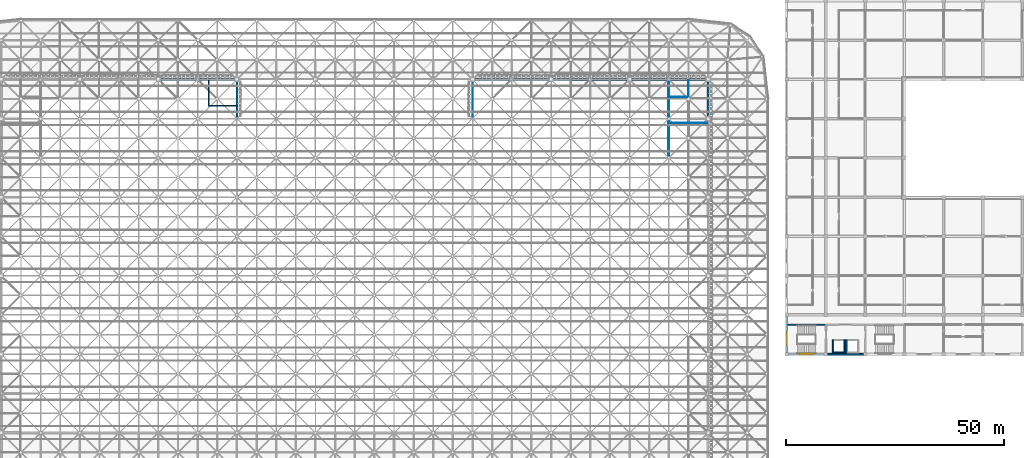
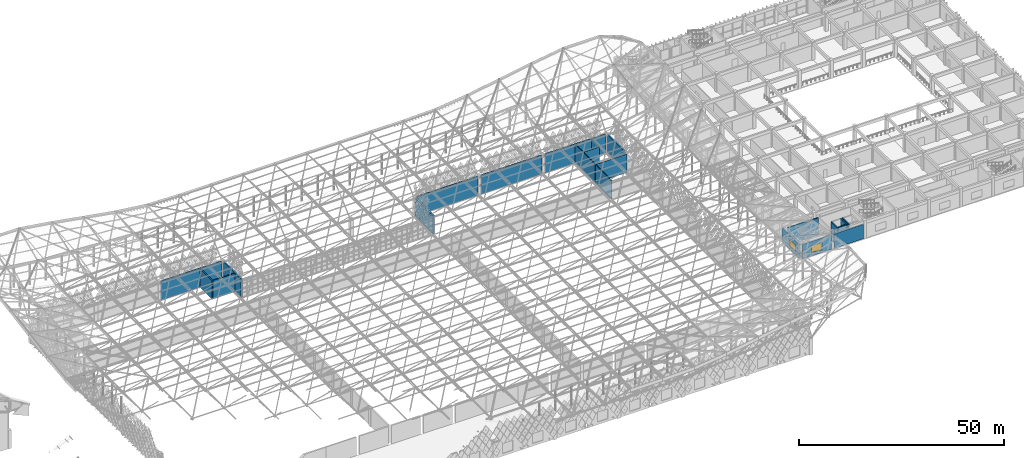
# One storey, part 275 of 437: 21 walls, 2 windows, 2 openings.
"""IFC4 building model written with IfcOpenShell, lengths in metres."""

import ifcopenshell
import ifcopenshell.guid

model = None  # the IFC model being written
_history = None  # IfcOwnerHistory: only IFC2X3 demands one
_inside = {}  # id of a spatial element -> (the spatial element, [elements in it])
_under = {}  # id of a project, library or spatial element -> (it, [spatial elements below it])
_declared = {}  # id of a project -> (the project, [libraries it declares])
_typed = {}  # id of a type object -> (the type object, [elements of that type])
_made_of = {}  # id of a material, layer set ... -> (it, [elements and type objects made of it])


def new_model(schema):
    """Start an empty IFC model of exactly this schema.

    Asked for "IFC4X3", IfcOpenShell would pick the latest addendum, in which some entities
    have other attributes; the version numbers below select the first issue.
    IFC2X3 requires an IfcOwnerHistory on every rooted entity: one is made here for all.
    """
    global model, _history
    if schema == "IFC4X3":
        model = ifcopenshell.file(schema_version=(4, 3, 0, 0))
    else:
        model = ifcopenshell.file(schema=schema)
    _inside.clear()
    _under.clear()
    _declared.clear()
    _typed.clear()
    _made_of.clear()
    _history = None
    if model.schema == "IFC2X3":
        org = make("IfcOrganization", Name="unknown")
        user = make(
            "IfcPersonAndOrganization",
            ThePerson=make("IfcPerson", FamilyName="unknown"),
            TheOrganization=org,
        )
        app = make(
            "IfcApplication",
            ApplicationDeveloper=org,
            Version="unknown",
            ApplicationFullName="unknown",
            ApplicationIdentifier="unknown",
        )
        _history = make(
            "IfcOwnerHistory",
            OwningUser=user,
            OwningApplication=app,
            ChangeAction="ADDED",
            CreationDate=0,
        )
    return model


def make(cls, **values):
    """One entity of the class cls with the attributes given. An attribute that is None is left unset."""
    return model.create_entity(
        cls, **{name: value for name, value in values.items() if value is not None}
    )


def rooted(cls, **values):
    """An entity with a GlobalId (a new one), such as an element, a storey or a relation."""
    return make(cls, GlobalId=ifcopenshell.guid.new(), OwnerHistory=_history, **values)


def si_unit(unit_type, name, prefix=None):
    """IfcSIUnit, for example si_unit("LENGTHUNIT", "METRE", prefix="MILLI")."""
    return make("IfcSIUnit", UnitType=unit_type, Prefix=prefix, Name=name)


def assignment(units):
    """IfcUnitAssignment: the units of a project."""
    return None if units is None else make("IfcUnitAssignment", Units=units)


def point(xyz):
    """IfcCartesianPoint."""
    return None if xyz is None else make("IfcCartesianPoint", Coordinates=xyz)


def direction(xyz):
    """IfcDirection."""
    return None if xyz is None else make("IfcDirection", DirectionRatios=xyz)


def frame(location, z_axis=None, x_axis=None):
    """IfcAxis2Placement3D, a coordinate frame: its origin and axes. An axis left out is left unset."""
    return make(
        "IfcAxis2Placement3D",
        Location=point(location),
        Axis=direction(z_axis),
        RefDirection=direction(x_axis),
    )


def frame_2d(location, x_axis=None):
    """IfcAxis2Placement2D, a coordinate frame in the plane: its origin and x axis."""
    return make(
        "IfcAxis2Placement2D", Location=point(location), RefDirection=direction(x_axis)
    )


def origin():
    """The frame at (0, 0, 0) with its axes left unset."""
    return frame((0.0, 0.0, 0.0))


def place(relative_to, where):
    """IfcLocalPlacement: puts the frame where relative to a parent placement (None: the world)."""
    return make(
        "IfcLocalPlacement", PlacementRelTo=relative_to, RelativePlacement=where
    )


def context(
    kind, dimensions, precision=None, world=None, true_north=None, identifier=None
):
    """IfcGeometricRepresentationContext, for example the 3D "Model" context."""
    return make(
        "IfcGeometricRepresentationContext",
        ContextIdentifier=identifier,
        ContextType=kind,
        CoordinateSpaceDimension=dimensions,
        Precision=precision,
        WorldCoordinateSystem=world,
        TrueNorth=true_north,
    )


def subcontext(parent, identifier, kind, view, scale=None):
    """IfcGeometricRepresentationSubContext, for example "Body" below "Model"."""
    return make(
        "IfcGeometricRepresentationSubContext",
        ContextIdentifier=identifier,
        ContextType=kind,
        ParentContext=parent,
        TargetScale=scale,
        TargetView=view,
    )


def project(units=None, contexts=None):
    """IfcProject with its units and contexts."""
    return rooted(
        "IfcProject",
        Name="project",
        RepresentationContexts=contexts,
        UnitsInContext=assignment(units),
    )


def spatial(cls, under=None, at=None, **own):
    """A site, building, storey or space (cls), placed at a placement, below another one or the project."""
    s = rooted(cls, ObjectPlacement=at, **own)
    if under is not None:
        _under.setdefault(under.id(), (under, []))[1].append(s)
    return s


def profile(cls, at=None, kind="AREA", **sizes):
    """A parametric profile (cls). Its sizes go by their IFC names, for example OverallWidth=200.0."""
    return make(cls, ProfileType=kind, Position=at, **sizes)


def rectangle(**sizes):
    """IfcRectangleProfileDef."""
    return profile("IfcRectangleProfileDef", **sizes)


def extrude(swept, where, along, depth):
    """IfcExtrudedAreaSolid: the profile swept, set in the frame where, extruded along a direction by depth."""
    return make(
        "IfcExtrudedAreaSolid",
        SweptArea=swept,
        Position=where,
        ExtrudedDirection=direction(along),
        Depth=depth,
    )


def shape(context_of_items, identifier, shape_type, items):
    """IfcShapeRepresentation: the items that make up one representation, for example the "Body"."""
    return make(
        "IfcShapeRepresentation",
        ContextOfItems=context_of_items,
        RepresentationIdentifier=identifier,
        RepresentationType=shape_type,
        Items=items,
    )


def material(Name=None, Category=None):
    """IfcMaterial."""
    return make("IfcMaterial", Name=Name, Category=Category)


def layer(
    of_material, thickness, ventilated=None, Name=None, Category=None, Priority=None
):
    """IfcMaterialLayer: one layer of a wall or slab, of a material (None: an air gap)."""
    return make(
        "IfcMaterialLayer",
        Material=of_material,
        LayerThickness=thickness,
        IsVentilated=ventilated,
        Name=Name,
        Category=Category,
        Priority=Priority,
    )


def layer_set(layers, Name=None):
    """IfcMaterialLayerSet."""
    return make("IfcMaterialLayerSet", MaterialLayers=layers, LayerSetName=Name)


def made_of(thing, what):
    """Note that an element or type object is made of a material, layer set ...; save() writes the relation."""
    if what is not None:
        _made_of.setdefault(what.id(), (what, []))[1].append(thing)
    return thing


def type_object(cls, material=None, **own):
    """A type object (cls), such as IfcWallType, which elements share."""
    return made_of(rooted(cls, **own), material)


def element(
    cls,
    number,
    at=None,
    inside=None,
    cuts=None,
    type_object=None,
    material=None,
    context=None,
    identifier="Body",
    shape_type=None,
    held_by="IfcProductDefinitionShape",
    body=None,
    shapes=None,
    **own,
):
    """One element of the class cls, such as IfcWall. Its Tag is "e" and its number.

    at: its placement. inside: the storey or other place that contains it. cuts: it is an
    opening in that element (IfcRelVoidsElement). A single representation is given by context,
    identifier, shape_type and body (its items); several are given by shapes. held_by: the class
    of the entity that holds the representations. save() writes the other relations.
    """
    e = rooted(cls, Tag="e%d" % number, ObjectPlacement=at, **own)
    if body is not None:
        shapes = [shape(context, identifier, shape_type, body)]
    if shapes is not None:
        e.Representation = make(held_by, Representations=shapes)
    if inside is not None:
        _inside.setdefault(inside.id(), (inside, []))[1].append(e)
    if cuts is not None:
        rooted(
            "IfcRelVoidsElement", RelatingBuildingElement=cuts, RelatedOpeningElement=e
        )
    if type_object is not None:
        _typed.setdefault(type_object.id(), (type_object, []))[1].append(e)
    return made_of(e, material)


def fill(opening, filler):
    """IfcRelFillsElement: the door or window that sits in an opening."""
    return rooted(
        "IfcRelFillsElement",
        RelatingOpeningElement=opening,
        RelatedBuildingElement=filler,
    )


def aggregate(whole, parts):
    """IfcRelAggregates: a whole, such as a stair, and the parts it consists of."""
    return rooted("IfcRelAggregates", RelatingObject=whole, RelatedObjects=parts)


def save(model, path):
    """Write the relations noted so far, then the file.

    IfcRelAggregates (storeys below a building ...), IfcRelContainedInSpatialStructure (elements
    in a storey), IfcRelDefinesByType, IfcRelAssociatesMaterial and IfcRelDeclares: one each for
    every whole, place, type object, material and project.
    """
    for whole, parts in _under.values():
        aggregate(whole, parts)
    for where, things in _inside.values():
        rooted(
            "IfcRelContainedInSpatialStructure",
            RelatedElements=things,
            RelatingStructure=where,
        )
    for kind, things in _typed.values():
        rooted("IfcRelDefinesByType", RelatedObjects=things, RelatingType=kind)
    for what, things in _made_of.values():
        rooted("IfcRelAssociatesMaterial", RelatedObjects=things, RelatingMaterial=what)
    for by, libraries in _declared.values():
        rooted("IfcRelDeclares", RelatingContext=by, RelatedDefinitions=libraries)
    model.write(path)


model = new_model("IFC4")

# Units and contexts
model_context = context("Model", 3, precision=1e-05, world=origin(), true_north=direction((0.0, 1.0)))
body_context = subcontext(model_context, "Body", "Model", "MODEL_VIEW")
ifc_project = project(units=[si_unit("LENGTHUNIT", "METRE"), si_unit("AREAUNIT", "SQUARE_METRE"), si_unit("VOLUMEUNIT", "CUBIC_METRE"), si_unit("PLANEANGLEUNIT", "RADIAN"), si_unit("MASSUNIT", "GRAM", prefix="KILO")], contexts=[model_context])

# Site, building, storey
site_placement = place(None, origin())
site = spatial("IfcSite", under=ifc_project, at=site_placement, CompositionType="ELEMENT")
building_placement = place(site_placement, origin())
building = spatial("IfcBuilding", under=site, at=building_placement, Name="Opaline Strait Convention Centre", CompositionType="ELEMENT")
storey_placement = place(building_placement, frame((0.0, 0.0, 11.5)))
storey = spatial("IfcBuildingStorey", under=building, at=storey_placement, Name="L02", CompositionType="ELEMENT", Elevation=11.5)

# Wall, opening, window
ifc_material_1 = material(Name="Concrete C40 precast", Category="concrete")
ifc_layer_1 = layer(ifc_material_1, 0.10009765625)
ifc_material_2 = material(Name="Mineral wool insulation")
ifc_layer_2 = layer(ifc_material_2, 0.14990234375)
ifc_layer_3 = layer(ifc_material_1, 0.14990234375)
ifc_layer_set_1 = layer_set([ifc_layer_1, ifc_layer_2, ifc_layer_3], Name="Concrete C40 precast, Mineral wool insulation, Concrete C40 precast")
wall_type_1 = type_object("IfcWallType", Name="External wall 400 insulated precast EI60", PredefinedType="STANDARD", material=ifc_layer_set_1)
wall_1_placement = place(storey_placement, frame((279.39990234375, 90.0, 0.0), z_axis=(0.0, 0.0, 1.0), x_axis=(1.0, 0.0, 0.0)))
wall_1 = element("IfcWall", 1, at=wall_1_placement, inside=storey, type_object=wall_type_1, Name="External wall S L02 32/L", PredefinedType="STANDARD", context=body_context, shape_type="SweptSolid", body=[
    extrude(rectangle(XDim=8.2001953125, YDim=0.39990234375, at=frame_2d((4.10009765625, 0.0))), origin(), (0.0, 0.0, 1.0), 4.320068359375),
])
opening_1_placement = place(wall_1_placement, frame((2.60009765625, 0.0, 0.89990234375)))
opening_1 = element("IfcOpeningElement", 2, at=opening_1_placement, cuts=wall_1, Name="Opening MW2", PredefinedType="OPENING", context=body_context, shape_type="SweptSolid", body=[
    extrude(rectangle(XDim=3.0, YDim=2.10009765625, at=frame_2d((1.5, 1.050048828125))), frame((0.0, 0.2099609375, 0.0), z_axis=(0.0, -1.0, 0.0), x_axis=(1.0, 0.0, 0.0)), (0.0, 0.0, 1.0), 0.419921875),
])
ifc_material_3 = material(Name="Aluminium framed double glazing", Category="aluminium")
window_type = type_object("IfcWindowType", Name="Window 3000 x 2100", PartitioningType="TRIPLE_PANEL_VERTICAL", PredefinedType="WINDOW", material=ifc_material_3)
window_1_placement = place(opening_1_placement, origin())
window_1 = element("IfcWindow", 3, at=window_1_placement, inside=storey, type_object=window_type, Name="Window Escape Stair S1 S", OverallHeight=2.10009765625, OverallWidth=3.0, PartitioningType="TRIPLE_PANEL_VERTICAL", PredefinedType="WINDOW", context=body_context, shape_type="SweptSolid", body=[
    extrude(rectangle(XDim=3.0, YDim=2.10009765625, at=frame_2d((1.5, 1.050048828125))), frame((0.0, 0.030029296875, 0.0), z_axis=(0.0, -1.0, 0.0), x_axis=(1.0, 0.0, 0.0)), (0.0, 0.0, 1.0), 0.06005859375),
])
fill(opening_1, window_1)

# Wall
wall_2_placement = place(storey_placement, frame((288.39990234375, 90.0, 0.0), z_axis=(0.0, 0.0, 1.0), x_axis=(1.0, 0.0, 0.0)))
element("IfcWall", 4, at=wall_2_placement, inside=storey, type_object=wall_type_1, Name="External wall S L02 33/L", PredefinedType="STANDARD", context=body_context, shape_type="SweptSolid", body=[
    extrude(rectangle(XDim=8.2001953125, YDim=0.39990234375, at=frame_2d((4.10009765625, 0.0))), origin(), (0.0, 0.0, 1.0), 4.320068359375),
])

# Wall, opening, window
wall_3_placement = place(storey_placement, frame((279.0, 90.39990234375, 0.0), z_axis=(0.0, 0.0, 1.0), x_axis=(0.0, 1.0, 0.0)))
wall_3 = element("IfcWall", 5, at=wall_3_placement, inside=storey, type_object=wall_type_1, Name="External wall W L02 32/L", PredefinedType="STANDARD", context=body_context, shape_type="SweptSolid", body=[
    extrude(rectangle(XDim=8.2001953125, YDim=0.39990234375, at=frame_2d((4.10009765625, 0.0))), origin(), (0.0, 0.0, 1.0), 4.320068359375),
])
opening_2_placement = place(wall_3_placement, frame((1.6376953125, 0.0, 0.89990234375)))
opening_2 = element("IfcOpeningElement", 6, at=opening_2_placement, cuts=wall_3, Name="Opening MW2", PredefinedType="OPENING", context=body_context, shape_type="SweptSolid", body=[
    extrude(rectangle(XDim=3.0, YDim=2.10009765625, at=frame_2d((1.5, 1.050048828125))), frame((0.0, 0.2099609375, 0.0), z_axis=(0.0, -1.0, 0.0), x_axis=(1.0, 0.0, 0.0)), (0.0, 0.0, 1.0), 0.419921875),
])
window_2_placement = place(opening_2_placement, origin())
window_2 = element("IfcWindow", 7, at=window_2_placement, inside=storey, type_object=window_type, Name="Window Escape Stair S1 W", OverallHeight=2.10009765625, OverallWidth=3.0, PartitioningType="TRIPLE_PANEL_VERTICAL", PredefinedType="WINDOW", context=body_context, shape_type="SweptSolid", body=[
    extrude(rectangle(XDim=3.0, YDim=2.10009765625, at=frame_2d((1.5, 1.050048828125))), frame((0.0, 0.030029296875, 0.0), z_axis=(0.0, -1.0, 0.0), x_axis=(1.0, 0.0, 0.0)), (0.0, 0.0, 1.0), 0.06005859375),
])
fill(opening_2, window_2)

# Walls
ifc_material_4 = material(Name="Concrete C40", Category="concrete")
ifc_layer_4 = layer(ifc_material_4, 0.25)
ifc_layer_5 = layer(ifc_material_2, 0.10009765625)
ifc_material_5 = material(Name="Gypsum board lining")
ifc_layer_6 = layer(ifc_material_5, 0.050048828125)
ifc_layer_set_2 = layer_set([ifc_layer_4, ifc_layer_5, ifc_layer_6], Name="Concrete C40, Mineral wool insulation, Gypsum board lining")
wall_type_2 = type_object("IfcWallType", Name="External wall RC 400 insulated", PredefinedType="SOLIDWALL", material=ifc_layer_set_2)
for number, where, z_axis, x_axis, name in (
    (8, (207.5, 153.0, 0.0), (0.0, 0.0, 1.0), (1.0, 0.0, 0.0), "External wall N4"),
    (9, (225.5, 153.0, 0.0), (0.0, 0.0, 1.0), (1.0, 0.0, 0.0), "External wall N5"),
    (10, (243.5, 153.0, 0.0), (0.0, 0.0, 1.0), (1.0, 0.0, 0.0), "External wall N6"),
):
    element("IfcWall", number, at=place(storey_placement, frame(where, z_axis=z_axis, x_axis=x_axis)), inside=storey, type_object=wall_type_2, Name=name, PredefinedType="SOLIDWALL", context=body_context, shape_type="SweptSolid", body=[
        extrude(rectangle(XDim=17.0, YDim=0.39990234375, at=frame_2d((8.5, 0.0))), origin(), (0.0, 0.0, 1.0), 5.5),
    ])
wall_4_placement = place(storey_placement, frame((261.0, 144.5, 0.0), z_axis=(0.0, 0.0, 1.0), x_axis=(0.0, 1.0, 0.0)))
element("IfcWall", 11, at=wall_4_placement, inside=storey, type_object=wall_type_2, Name="External wall E7", PredefinedType="SOLIDWALL", context=body_context, shape_type="SweptSolid", body=[
    extrude(rectangle(XDim=8.0, YDim=0.39990234375, at=frame_2d((4.0, 0.0))), origin(), (0.0, 0.0, 1.0), 5.5),
])
wall_5_placement = place(storey_placement, frame((207.0, 144.030029296875, 0.0), z_axis=(0.0, 0.0, 1.0), x_axis=(0.0, 1.0, 0.0)))
element("IfcWall", 12, at=wall_5_placement, inside=storey, type_object=wall_type_2, Name="Recess side wall E", PredefinedType="SOLIDWALL", context=body_context, shape_type="SweptSolid", body=[
    extrude(rectangle(XDim=8.469970703125, YDim=0.39990234375, at=frame_2d((4.23486328125, 0.0))), origin(), (0.0, 0.0, 1.0), 5.5),
])
ifc_layer_7 = layer(ifc_material_4, 0.300048828125)
ifc_layer_8 = layer(ifc_material_2, 0.050048828125)
ifc_layer_9 = layer(ifc_material_5, 0.050048828125)
ifc_layer_set_3 = layer_set([ifc_layer_7, ifc_layer_8, ifc_layer_9], Name="Concrete C40, Mineral wool insulation, Gypsum board lining")
wall_type_3 = type_object("IfcWallType", Name="External wall RC 400 stair core", PredefinedType="SOLIDWALL", material=ifc_layer_set_3)
wall_6_placement = place(storey_placement, frame((135.5, 153.0, 0.0), z_axis=(0.0, 0.0, 1.0), x_axis=(1.0, 0.0, 0.0)))
element("IfcWall", 13, at=wall_6_placement, inside=storey, type_object=wall_type_3, Name="External wall N3", PredefinedType="SOLIDWALL", context=body_context, shape_type="SweptSolid", body=[
    extrude(rectangle(XDim=17.0, YDim=0.39990234375, at=frame_2d((8.5, 0.0))), origin(), (0.0, 0.0, 1.0), 5.5),
])
wall_7_placement = place(storey_placement, frame((153.0, 144.030029296875, 0.0), z_axis=(0.0, 0.0, 1.0), x_axis=(0.0, 1.0, 0.0)))
element("IfcWall", 14, at=wall_7_placement, inside=storey, type_object=wall_type_3, Name="Recess side wall W", PredefinedType="SOLIDWALL", context=body_context, shape_type="SweptSolid", body=[
    extrude(rectangle(XDim=8.469970703125, YDim=0.39990234375, at=frame_2d((4.23486328125, 0.0))), origin(), (0.0, 0.0, 1.0), 5.5),
])
ifc_material_6 = material(Name="Lightweight blockwork", Category="masonry")
ifc_layer_10 = layer(ifc_material_6, 0.25)
ifc_layer_set_4 = layer_set([ifc_layer_10], Name="Lightweight blockwork")
wall_type_4 = type_object("IfcWallType", Name="Partition EI 120 blockwork 250", PredefinedType="PARTITIONING", material=ifc_layer_set_4)
wall_8_placement = place(storey_placement, frame((146.5, 146.875, 0.0), z_axis=(0.0, 0.0, 1.0), x_axis=(0.0, 1.0, 0.0)))
element("IfcWall", 15, at=wall_8_placement, inside=storey, type_object=wall_type_4, Name="Fire control room west wall", PredefinedType="PARTITIONING", context=body_context, shape_type="SweptSolid", body=[
    extrude(rectangle(XDim=5.925048828125, YDim=0.25, at=frame_2d((2.96240234375, 0.0))), origin(), (0.0, 0.0, 1.0), 5.5),
])
wall_9_placement = place(storey_placement, frame((146.625, 147.0, 0.0), z_axis=(0.0, 0.0, 1.0), x_axis=(1.0, 0.0, 0.0)))
element("IfcWall", 16, at=wall_9_placement, inside=storey, type_object=wall_type_4, Name="Fire control room south wall", PredefinedType="PARTITIONING", context=body_context, shape_type="SweptSolid", body=[
    extrude(rectangle(XDim=6.175048828125, YDim=0.25, at=frame_2d((3.08740234375, 0.0))), origin(), (0.0, 0.0, 1.0), 5.5),
])
ifc_layer_11 = layer(ifc_material_6, 0.199951171875)
ifc_layer_set_5 = layer_set([ifc_layer_11], Name="Lightweight blockwork")
wall_type_5 = type_object("IfcWallType", Name="Partition EI 60 blockwork 200", PredefinedType="PARTITIONING", material=ifc_layer_set_5)
wall_10_placement = place(storey_placement, frame((252.0, 135.199951171875, 0.0), z_axis=(0.0, 0.0, 1.0), x_axis=(0.0, 1.0, 0.0)))
element("IfcWall", 17, at=wall_10_placement, inside=storey, type_object=wall_type_5, Name="WC block front wall", PredefinedType="PARTITIONING", context=body_context, shape_type="SweptSolid", body=[
    extrude(rectangle(XDim=17.60009765625, YDim=0.199951171875, at=frame_2d((8.800048828125, 0.0))), origin(), (0.0, 0.0, 1.0), 5.5),
])
ifc_layer_12 = layer(ifc_material_4, 0.300048828125)
ifc_layer_set_6 = layer_set([ifc_layer_12], Name="Concrete C40")
wall_type_6 = type_object("IfcWallType", Name="RC core wall 300 C40", PredefinedType="SHEAR", material=ifc_layer_set_6)
wall_11_placement = place(storey_placement, frame((279.199951171875, 96.75, 0.0), z_axis=(0.0, 0.0, 1.0), x_axis=(1.0, 0.0, 0.0)))
element("IfcWall", 18, at=wall_11_placement, inside=storey, type_object=wall_type_6, Name="Core wall SW-L02", PredefinedType="SHEAR", context=body_context, shape_type="SweptSolid", body=[
    extrude(rectangle(XDim=8.650146484375, YDim=0.300048828125, at=frame_2d((4.3251953125, 0.0))), origin(), (0.0, 0.0, 1.0), 5.219970703125),
])
ifc_layer_13 = layer(ifc_material_4, 0.300048828125)
ifc_layer_set_7 = layer_set([ifc_layer_13], Name="Concrete C40")
wall_type_7 = type_object("IfcWallType", Name="RC lift shaft wall 300 C40", PredefinedType="SHEAR", material=ifc_layer_set_7)
for number, where, z_axis, x_axis, name in (
    (19, (289.64990234375, 90.25, 0.0), (0.0, 0.0, 1.0), (0.0, 1.0, 0.0), "Lift shaft SW1 wall L02"),
    (20, (292.25, 90.25, 0.0), (0.0, 0.0, 1.0), (0.0, 1.0, 0.0), "Lift shaft SW1 wall L02"),
):
    element("IfcWall", number, at=place(storey_placement, frame(where, z_axis=z_axis, x_axis=x_axis)), inside=storey, type_object=wall_type_7, Name=name, PredefinedType="SHEAR", context=body_context, shape_type="SweptSolid", body=[
        extrude(rectangle(XDim=3.10009765625, YDim=0.300048828125, at=frame_2d((1.550048828125, 0.0))), origin(), (0.0, 0.0, 1.0), 5.5),
    ])
wall_12_placement = place(storey_placement, frame((289.800048828125, 90.39990234375, 0.0), z_axis=(0.0, 0.0, 1.0), x_axis=(1.0, 0.0, 0.0)))
element("IfcWall", 21, at=wall_12_placement, inside=storey, type_object=wall_type_7, Name="Lift shaft SW1 wall L02", PredefinedType="SHEAR", context=body_context, shape_type="SweptSolid", body=[
    extrude(rectangle(XDim=2.300048828125, YDim=0.300048828125, at=frame_2d((1.14990234375, 0.0))), origin(), (0.0, 0.0, 1.0), 5.5),
])
wall_13_placement = place(storey_placement, frame((292.75, 90.25, 0.0), z_axis=(0.0, 0.0, 1.0), x_axis=(0.0, 1.0, 0.0)))
element("IfcWall", 22, at=wall_13_placement, inside=storey, type_object=wall_type_7, Name="Lift shaft SW2 wall L02", PredefinedType="SHEAR", context=body_context, shape_type="SweptSolid", body=[
    extrude(rectangle(XDim=3.10009765625, YDim=0.300048828125, at=frame_2d((1.550048828125, 0.0))), origin(), (0.0, 0.0, 1.0), 5.5),
])
ifc_material_7 = material(Name="Gypsum board partition")
ifc_layer_14 = layer(ifc_material_7, 0.10009765625)
ifc_layer_set_8 = layer_set([ifc_layer_14], Name="Gypsum board partition")
wall_type_8 = type_object("IfcWallType", Name="WC partition gypsum 100", PredefinedType="PARTITIONING", material=ifc_layer_set_8)
wall_14_placement = place(storey_placement, frame((260.800048828125, 143.0, 0.0), z_axis=(0.0, 0.0, 1.0), x_axis=(-1.0, 0.0, 0.0)))
element("IfcWall", 23, at=wall_14_placement, inside=storey, type_object=wall_type_8, Name="WC partition", PredefinedType="PARTITIONING", context=body_context, shape_type="SweptSolid", body=[
    extrude(rectangle(XDim=8.900146484375, YDim=0.10009765625, at=frame_2d((4.4501953125, 0.0))), origin(), (0.0, 0.0, 1.0), 5.5),
])
wall_15_placement = place(storey_placement, frame((256.5, 149.0, 0.0), z_axis=(0.0, 0.0, 1.0), x_axis=(-1.0, 0.0, 0.0)))
element("IfcWall", 24, at=wall_15_placement, inside=storey, type_object=wall_type_8, Name="WC partition", PredefinedType="PARTITIONING", context=body_context, shape_type="SweptSolid", body=[
    extrude(rectangle(XDim=4.60009765625, YDim=0.10009765625, at=frame_2d((2.300048828125, 0.0))), origin(), (0.0, 0.0, 1.0), 5.5),
])
wall_16_placement = place(storey_placement, frame((256.5, 149.10009765625, 0.0), z_axis=(0.0, 0.0, 1.0), x_axis=(0.0, 1.0, 0.0)))
element("IfcWall", 25, at=wall_16_placement, inside=storey, type_object=wall_type_8, Name="WC partition", PredefinedType="PARTITIONING", context=body_context, shape_type="SweptSolid", body=[
    extrude(rectangle(XDim=3.699951171875, YDim=0.10009765625, at=frame_2d((1.85009765625, 0.0))), origin(), (0.0, 0.0, 1.0), 5.5),
])

save(model, "model.ifc")
